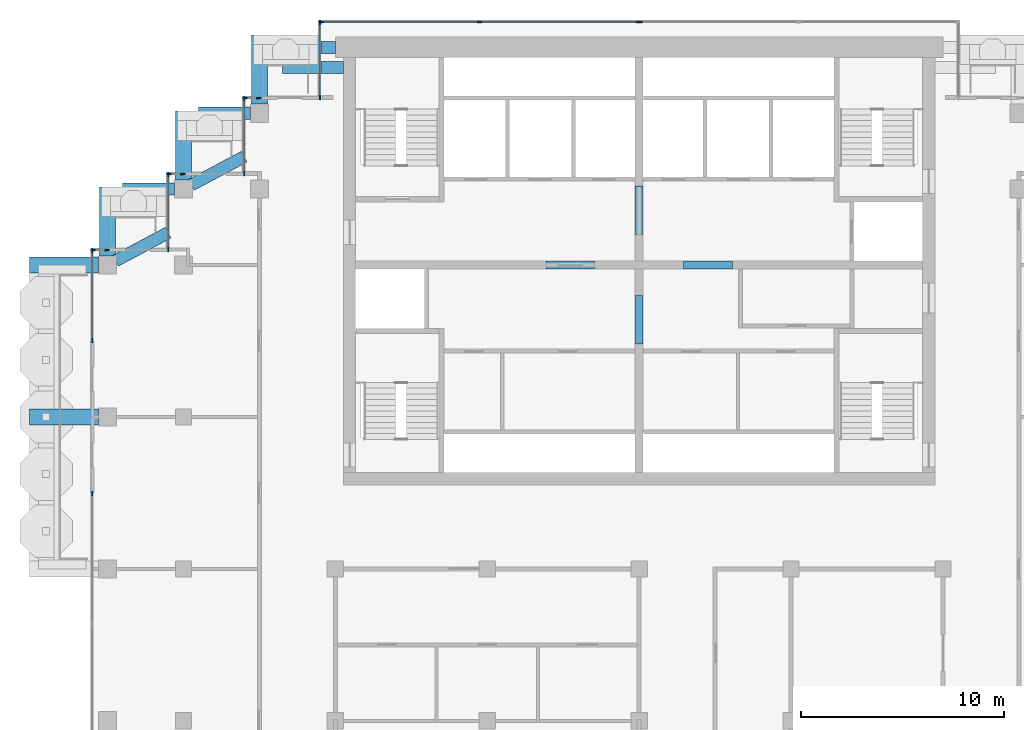
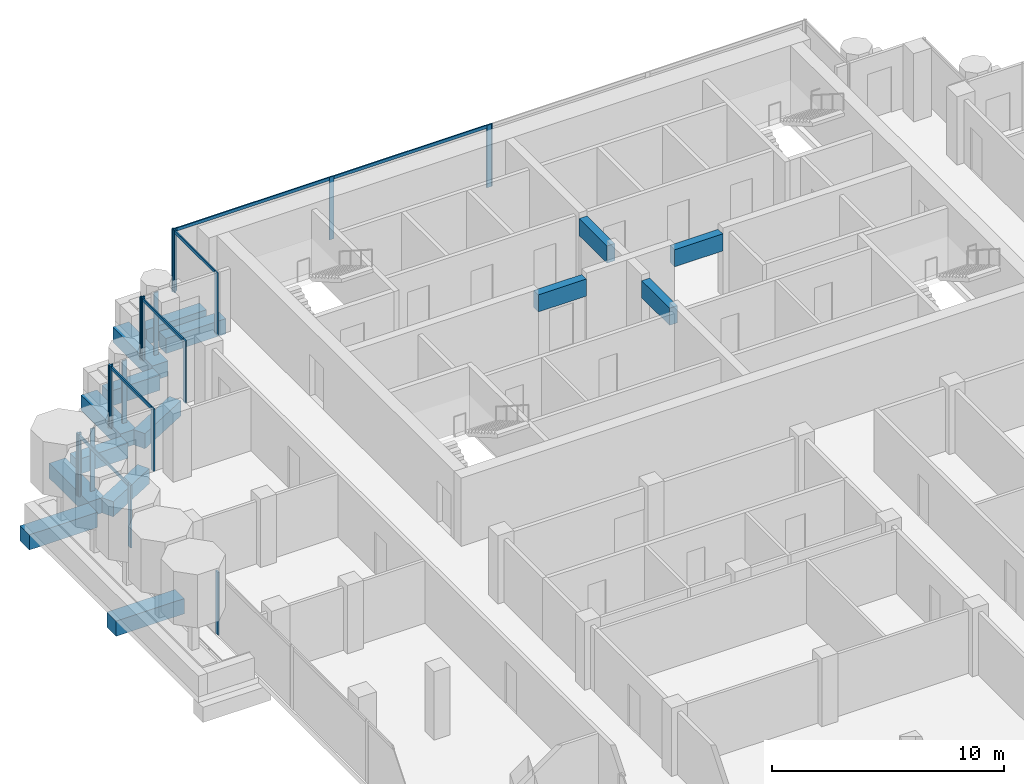
# One storey, part 5 of 18: 25 members, 15 beams, 10 elements without a shape of their own.
"""IFC4 building model written with IfcOpenShell, lengths in metres."""

from ifc_helpers import new_model, si_unit, direction, frame, origin, origin_2d, place, context, subcontext, project, spatial, rectangle, extrude, material, material_profile, profile_set, type_object, element, aggregate, save


model = new_model("IFC4")

# Units and contexts
model_context = context("Model", 3, precision=1e-05, world=origin(), true_north=direction((0.0, 1.0)))
body_context = subcontext(model_context, "Body", "Model", "MODEL_VIEW")
ifc_project = project(units=[si_unit("LENGTHUNIT", "METRE"), si_unit("AREAUNIT", "SQUARE_METRE"), si_unit("VOLUMEUNIT", "CUBIC_METRE"), si_unit("PLANEANGLEUNIT", "RADIAN"), si_unit("MASSUNIT", "GRAM", prefix="KILO")], contexts=[model_context])

# Site, building, storey
site_placement = place(None, origin())
site = spatial("IfcSite", under=ifc_project, at=site_placement, CompositionType="ELEMENT")
building_placement = place(site_placement, origin())
building = spatial("IfcBuilding", under=site, at=building_placement, Name="Pilkhan Gate Tower", CompositionType="ELEMENT")
storey_placement = place(building_placement, frame((0.0, 0.0, 235.5)))
storey = spatial("IfcBuildingStorey", under=building, at=storey_placement, Name="L61", CompositionType="ELEMENT", Elevation=235.5)

# Beams
ifc_material_1 = material(Name="Concrete C50/60", Category="concrete")
ifc_material_profile_1 = material_profile(ifc_material_1, rectangle(XDim=0.60009765625, YDim=0.800048828125, at=origin_2d()), Name="RC 600x800")
ifc_profile_set_1 = profile_set([ifc_material_profile_1], Name="Concrete C50/60")
beam_type_1 = type_object("IfcBeamType", Name="Cantilever beam CB1 RC 600x800 C50/60", PredefinedType="BEAM", material=ifc_profile_set_1)
for number, where, z_axis, x_axis, name in (
    (1, (60.0, 93.25, -0.699951171875), (-1.0, 0.0, 0.0), (0.0, -1.0, 0.0), "Balcony beam NW.2 L61"),
    (2, (60.39990234375, 92.25, -0.699951171875), (-1.0, 0.0, 0.0), (0.0, -1.0, 0.0), "Balcony beam NW.3 L61"),
):
    element("IfcBeam", number, at=place(storey_placement, frame(where, z_axis=z_axis, x_axis=x_axis)), inside=storey, type_object=beam_type_1, Name=name, PredefinedType="BEAM", context=body_context, shape_type="SweptSolid", body=[
        extrude(rectangle(XDim=0.60009765625, YDim=0.800048828125, at=origin_2d()), origin(), (0.0, 0.0, 1.0), 3.0),
    ])
beam_1_placement = place(storey_placement, frame((55.800048828125, 90.0, -0.699951171875), z_axis=(-1.0, 0.0, 0.0), x_axis=(0.0, -1.0, 0.0)))
element("IfcBeam", 3, at=beam_1_placement, inside=storey, type_object=beam_type_1, Name="Balcony beam NW1.2 L61", PredefinedType="BEAM", context=body_context, shape_type="SweptSolid", body=[
    extrude(rectangle(XDim=0.60009765625, YDim=0.800048828125, at=origin_2d()), origin(), (0.0, 0.0, 1.0), 2.550048828125),
])
beam_2_placement = place(storey_placement, frame((52.89697265625, 86.461669921875, -0.699951171875), z_axis=(0.882332323202, 0.470626891957, 0.0), x_axis=(-0.470626891957, 0.882332323202, 0.0)))
element("IfcBeam", 4, at=beam_2_placement, inside=storey, type_object=beam_type_1, Name="Balcony beam NW1.3 L61", PredefinedType="BEAM", context=body_context, shape_type="SweptSolid", body=[
    extrude(rectangle(XDim=0.60009765625, YDim=0.800048828125, at=origin_2d()), origin(), (0.0, 0.0, 1.0), 2.9501953125),
])
beam_3_placement = place(storey_placement, frame((52.050048828125, 86.25, -0.699951171875), z_axis=(-1.0, 0.0, 0.0), x_axis=(0.0, -1.0, 0.0)))
element("IfcBeam", 5, at=beam_3_placement, inside=storey, type_object=beam_type_1, Name="Balcony beam NW2.2 L61", PredefinedType="BEAM", context=body_context, shape_type="SweptSolid", body=[
    extrude(rectangle(XDim=0.60009765625, YDim=0.800048828125, at=origin_2d()), origin(), (0.0, 0.0, 1.0), 2.550048828125),
])
beam_4_placement = place(storey_placement, frame((49.14697265625, 82.711669921875, -0.699951171875), z_axis=(0.882332323202, 0.470626891957, 0.0), x_axis=(-0.470626891957, 0.882332323202, 0.0)))
element("IfcBeam", 6, at=beam_4_placement, inside=storey, type_object=beam_type_1, Name="Balcony beam NW2.3 L61", PredefinedType="BEAM", context=body_context, shape_type="SweptSolid", body=[
    extrude(rectangle(XDim=0.60009765625, YDim=0.800048828125, at=origin_2d()), origin(), (0.0, 0.0, 1.0), 2.9501953125),
])
ifc_material_profile_2 = material_profile(ifc_material_1, rectangle(XDim=0.800048828125, YDim=0.800048828125, at=origin_2d()), Name="RC 800x800")
ifc_profile_set_2 = profile_set([ifc_material_profile_2], Name="Concrete C50/60")
beam_type_2 = type_object("IfcBeamType", Name="Cantilever beam CB2 RC 800x800 C50/60", PredefinedType="BEAM", material=ifc_profile_set_2)
for number, where, z_axis, x_axis, name in (
    (7, (56.25, 90.449951171875, -0.699951171875), (0.0, 1.0, 0.0), (-1.0, 0.0, 0.0), "Balcony beam NW.1 L61"),
    (8, (52.5, 86.699951171875, -0.699951171875), (0.0, 1.0, 0.0), (-1.0, 0.0, 0.0), "Balcony beam NW1.1 L61"),
    (9, (48.75, 82.949951171875, -0.699951171875), (0.0, 1.0, 0.0), (-1.0, 0.0, 0.0), "Balcony beam NW2.1 L61"),
    (10, (48.300048828125, 75.0, -0.699951171875), (-1.0, 0.0, 0.0), (0.0, -1.0, 0.0), "Balcony beam W.2 L61"),
    (11, (48.300048828125, 82.5, -0.699951171875), (-1.0, 0.0, 0.0), (0.0, -1.0, 0.0), "Balcony beam W.3 L61"),
):
    element("IfcBeam", number, at=place(storey_placement, frame(where, z_axis=z_axis, x_axis=x_axis)), inside=storey, type_object=beam_type_2, Name=name, PredefinedType="BEAM", context=body_context, shape_type="SweptSolid", body=[
        extrude(rectangle(XDim=0.800048828125, YDim=0.800048828125, at=origin_2d()), origin(), (0.0, 0.0, 1.0), 3.400146484375),
    ])
ifc_material_profile_3 = material_profile(ifc_material_1, rectangle(XDim=0.39990234375, YDim=0.89990234375, at=origin_2d()), Name="RC 400x900")
ifc_profile_set_3 = profile_set([ifc_material_profile_3], Name="Concrete C50/60")
beam_type_3 = type_object("IfcBeamType", Name="Coupling beam CB90-4 RC 400x900 C50/60", PredefinedType="LINTEL", material=ifc_profile_set_3)
for number, where, z_axis, x_axis, name in (
    (12, (70.39990234375, 82.5, 2.85009765625), (1.0, 0.0, 0.0), (0.0, 1.0, 0.0), "Coupling beam 1 L61"),
    (13, (77.199951171875, 82.5, 2.85009765625), (1.0, 0.0, 0.0), (0.0, 1.0, 0.0), "Coupling beam 2 L61"),
):
    element("IfcBeam", number, at=place(storey_placement, frame(where, z_axis=z_axis, x_axis=x_axis)), inside=storey, type_object=beam_type_3, Name=name, PredefinedType="LINTEL", context=body_context, shape_type="SweptSolid", body=[
        extrude(rectangle(XDim=0.39990234375, YDim=0.89990234375, at=origin_2d()), origin(), (0.0, 0.0, 1.0), 2.400146484375),
    ])
for number, where, z_axis, x_axis, name in (
    (14, (75.0, 78.60009765625, 2.85009765625), (0.0, 1.0, 0.0), (-1.0, 0.0, 0.0), "Coupling beam 3 L61"),
    (15, (75.0, 84.0, 2.85009765625), (0.0, 1.0, 0.0), (-1.0, 0.0, 0.0), "Coupling beam 4 L61"),
):
    element("IfcBeam", number, at=place(storey_placement, frame(where, z_axis=z_axis, x_axis=x_axis)), inside=storey, type_object=beam_type_3, Name=name, PredefinedType="LINTEL", context=body_context, shape_type="SweptSolid", body=[
        extrude(rectangle(XDim=0.39990234375, YDim=0.89990234375, at=origin_2d()), origin(), (0.0, 0.0, 1.0), 2.39990234375),
    ])

# Curtain wall, members
ifc_material_2 = material(Name="Pale anodised aluminium, clear low-iron double glazing", Category="aluminium")
curtain_wall_type = type_object("IfcCurtainWallType", Name="Office unitised curtain wall CW-O2", PredefinedType="USERDEFINED", material=ifc_material_2)
curtain_wall_1_placement = place(storey_placement, origin())
curtain_wall_1 = element("IfcCurtainWall", 16, at=curtain_wall_1_placement, inside=storey, type_object=curtain_wall_type, Name="Office unitised curtain wall CW-O2 L61 N", ObjectType="UNITISED CURTAIN WALL", PredefinedType="USERDEFINED")
ifc_material_3 = material(Name="Pale anodised aluminium", Category="aluminium")
ifc_material_profile_4 = material_profile(ifc_material_3, rectangle(XDim=0.06494140625, YDim=0.22509765625, at=origin_2d()), Name="Mullion 225x65")
ifc_profile_set_4 = profile_set([ifc_material_profile_4], Name="Pale anodised aluminium")
member_type_1 = type_object("IfcMemberType", Name="Mullion CW-O2 225x65", PredefinedType="MULLION", material=ifc_profile_set_4)
member_1_placement = place(storey_placement, frame((59.282470703125, 94.5, 0.0), z_axis=(0.0, 0.0, 1.0), x_axis=(0.0, 1.0, 0.0)))
member_1 = element("IfcMember", 17, at=member_1_placement, type_object=member_type_1, Name="CW-O2 mullion 1", PredefinedType="MULLION", context=body_context, shape_type="SweptSolid", body=[
    extrude(rectangle(XDim=0.06494140625, YDim=0.22509765625, at=origin_2d()), origin(), (0.0, 0.0, 1.0), 3.300048828125),
])
member_2_placement = place(storey_placement, frame((67.125, 94.5, 0.0), z_axis=(0.0, 0.0, 1.0), x_axis=(0.0, 1.0, 0.0)))
member_2 = element("IfcMember", 18, at=member_2_placement, type_object=member_type_1, Name="CW-O2 mullion 2", PredefinedType="MULLION", context=body_context, shape_type="SweptSolid", body=[
    extrude(rectangle(XDim=0.06494140625, YDim=0.22509765625, at=origin_2d()), origin(), (0.0, 0.0, 1.0), 3.300048828125),
])
member_3_placement = place(storey_placement, frame((74.967529296875, 94.5, 0.0), z_axis=(0.0, 0.0, 1.0), x_axis=(0.0, 1.0, 0.0)))
member_3 = element("IfcMember", 19, at=member_3_placement, type_object=member_type_1, Name="CW-O2 mullion 3", PredefinedType="MULLION", context=body_context, shape_type="SweptSolid", body=[
    extrude(rectangle(XDim=0.06494140625, YDim=0.22509765625, at=origin_2d()), origin(), (0.0, 0.0, 1.0), 3.300048828125),
])

# Curtain wall, member
curtain_wall_2_placement = place(storey_placement, origin())
curtain_wall_2 = element("IfcCurtainWall", 20, at=curtain_wall_2_placement, inside=storey, type_object=curtain_wall_type, Name="Office unitised curtain wall CW-O2 L61 N", ObjectType="UNITISED CURTAIN WALL", PredefinedType="USERDEFINED")
member_4_placement = place(storey_placement, frame((75.032470703125, 94.5, 0.0), z_axis=(0.0, 0.0, 1.0), x_axis=(0.0, 1.0, 0.0)))
member_4 = element("IfcMember", 21, at=member_4_placement, type_object=member_type_1, Name="CW-O2 mullion 1", PredefinedType="MULLION", context=body_context, shape_type="SweptSolid", body=[
    extrude(rectangle(XDim=0.06494140625, YDim=0.22509765625, at=origin_2d()), origin(), (0.0, 0.0, 1.0), 3.300048828125),
])
aggregate(curtain_wall_2, [member_4])

# Curtain wall, members
curtain_wall_3_placement = place(storey_placement, origin())
curtain_wall_3 = element("IfcCurtainWall", 22, at=curtain_wall_3_placement, inside=storey, type_object=curtain_wall_type, Name="Office unitised curtain wall CW-O2 L61 W", ObjectType="UNITISED CURTAIN WALL", PredefinedType="USERDEFINED")
member_5_placement = place(storey_placement, frame((59.25, 90.782470703125, 0.0), z_axis=(0.0, 0.0, 1.0), x_axis=(-1.0, 0.0, 0.0)))
member_5 = element("IfcMember", 23, at=member_5_placement, type_object=member_type_1, Name="CW-O2 mullion 1", PredefinedType="MULLION", context=body_context, shape_type="SweptSolid", body=[
    extrude(rectangle(XDim=0.06494140625, YDim=0.22509765625, at=origin_2d()), origin(), (0.0, 0.0, 1.0), 3.300048828125),
])
member_6_placement = place(storey_placement, frame((59.25, 94.467529296875, 0.0), z_axis=(0.0, 0.0, 1.0), x_axis=(-1.0, 0.0, 0.0)))
member_6 = element("IfcMember", 24, at=member_6_placement, type_object=member_type_1, Name="CW-O2 mullion 2", PredefinedType="MULLION", context=body_context, shape_type="SweptSolid", body=[
    extrude(rectangle(XDim=0.06494140625, YDim=0.22509765625, at=origin_2d()), origin(), (0.0, 0.0, 1.0), 3.300048828125),
])

curtain_wall_4_placement = place(storey_placement, origin())
curtain_wall_4 = element("IfcCurtainWall", 25, at=curtain_wall_4_placement, inside=storey, type_object=curtain_wall_type, Name="Office unitised curtain wall CW-O2 L61 N", ObjectType="UNITISED CURTAIN WALL", PredefinedType="USERDEFINED")
member_7_placement = place(storey_placement, frame((55.532470703125, 90.75, 0.0), z_axis=(0.0, 0.0, 1.0), x_axis=(0.0, 1.0, 0.0)))
member_7 = element("IfcMember", 26, at=member_7_placement, type_object=member_type_1, Name="CW-O2 mullion 1", PredefinedType="MULLION", context=body_context, shape_type="SweptSolid", body=[
    extrude(rectangle(XDim=0.06494140625, YDim=0.22509765625, at=origin_2d()), origin(), (0.0, 0.0, 1.0), 3.300048828125),
])
member_8_placement = place(storey_placement, frame((56.217529296875, 90.75, 0.0), z_axis=(0.0, 0.0, 1.0), x_axis=(0.0, 1.0, 0.0)))
member_8 = element("IfcMember", 27, at=member_8_placement, type_object=member_type_1, Name="CW-O2 mullion 2", PredefinedType="MULLION", context=body_context, shape_type="SweptSolid", body=[
    extrude(rectangle(XDim=0.06494140625, YDim=0.22509765625, at=origin_2d()), origin(), (0.0, 0.0, 1.0), 3.300048828125),
])
aggregate(curtain_wall_4, [member_7, member_8])

curtain_wall_5_placement = place(storey_placement, origin())
curtain_wall_5 = element("IfcCurtainWall", 28, at=curtain_wall_5_placement, inside=storey, type_object=curtain_wall_type, Name="Office unitised curtain wall CW-O2 L61 W", ObjectType="UNITISED CURTAIN WALL", PredefinedType="USERDEFINED")
member_9_placement = place(storey_placement, frame((55.5, 87.032470703125, 0.0), z_axis=(0.0, 0.0, 1.0), x_axis=(-1.0, 0.0, 0.0)))
member_9 = element("IfcMember", 29, at=member_9_placement, type_object=member_type_1, Name="CW-O2 mullion 1", PredefinedType="MULLION", context=body_context, shape_type="SweptSolid", body=[
    extrude(rectangle(XDim=0.06494140625, YDim=0.22509765625, at=origin_2d()), origin(), (0.0, 0.0, 1.0), 3.300048828125),
])
member_10_placement = place(storey_placement, frame((55.5, 90.717529296875, 0.0), z_axis=(0.0, 0.0, 1.0), x_axis=(-1.0, 0.0, 0.0)))
member_10 = element("IfcMember", 30, at=member_10_placement, type_object=member_type_1, Name="CW-O2 mullion 2", PredefinedType="MULLION", context=body_context, shape_type="SweptSolid", body=[
    extrude(rectangle(XDim=0.06494140625, YDim=0.22509765625, at=origin_2d()), origin(), (0.0, 0.0, 1.0), 3.300048828125),
])

curtain_wall_6_placement = place(storey_placement, origin())
curtain_wall_6 = element("IfcCurtainWall", 31, at=curtain_wall_6_placement, inside=storey, type_object=curtain_wall_type, Name="Office unitised curtain wall CW-O2 L61 N", ObjectType="UNITISED CURTAIN WALL", PredefinedType="USERDEFINED")
member_11_placement = place(storey_placement, frame((51.782470703125, 87.0, 0.0), z_axis=(0.0, 0.0, 1.0), x_axis=(0.0, 1.0, 0.0)))
member_11 = element("IfcMember", 32, at=member_11_placement, type_object=member_type_1, Name="CW-O2 mullion 1", PredefinedType="MULLION", context=body_context, shape_type="SweptSolid", body=[
    extrude(rectangle(XDim=0.06494140625, YDim=0.22509765625, at=origin_2d()), origin(), (0.0, 0.0, 1.0), 3.300048828125),
])
member_12_placement = place(storey_placement, frame((52.467529296875, 87.0, 0.0), z_axis=(0.0, 0.0, 1.0), x_axis=(0.0, 1.0, 0.0)))
member_12 = element("IfcMember", 33, at=member_12_placement, type_object=member_type_1, Name="CW-O2 mullion 2", PredefinedType="MULLION", context=body_context, shape_type="SweptSolid", body=[
    extrude(rectangle(XDim=0.06494140625, YDim=0.22509765625, at=origin_2d()), origin(), (0.0, 0.0, 1.0), 3.300048828125),
])
aggregate(curtain_wall_6, [member_11, member_12])

curtain_wall_7_placement = place(storey_placement, origin())
curtain_wall_7 = element("IfcCurtainWall", 34, at=curtain_wall_7_placement, inside=storey, type_object=curtain_wall_type, Name="Office unitised curtain wall CW-O2 L61 W", ObjectType="UNITISED CURTAIN WALL", PredefinedType="USERDEFINED")
member_13_placement = place(storey_placement, frame((51.75, 83.282470703125, 0.0), z_axis=(0.0, 0.0, 1.0), x_axis=(-1.0, 0.0, 0.0)))
member_13 = element("IfcMember", 35, at=member_13_placement, type_object=member_type_1, Name="CW-O2 mullion 1", PredefinedType="MULLION", context=body_context, shape_type="SweptSolid", body=[
    extrude(rectangle(XDim=0.06494140625, YDim=0.22509765625, at=origin_2d()), origin(), (0.0, 0.0, 1.0), 3.300048828125),
])
member_14_placement = place(storey_placement, frame((51.75, 86.967529296875, 0.0), z_axis=(0.0, 0.0, 1.0), x_axis=(-1.0, 0.0, 0.0)))
member_14 = element("IfcMember", 36, at=member_14_placement, type_object=member_type_1, Name="CW-O2 mullion 2", PredefinedType="MULLION", context=body_context, shape_type="SweptSolid", body=[
    extrude(rectangle(XDim=0.06494140625, YDim=0.22509765625, at=origin_2d()), origin(), (0.0, 0.0, 1.0), 3.300048828125),
])

curtain_wall_8_placement = place(storey_placement, origin())
curtain_wall_8 = element("IfcCurtainWall", 37, at=curtain_wall_8_placement, inside=storey, type_object=curtain_wall_type, Name="Office unitised curtain wall CW-O2 L61 N", ObjectType="UNITISED CURTAIN WALL", PredefinedType="USERDEFINED")
member_15_placement = place(storey_placement, frame((48.032470703125, 83.25, 0.0), z_axis=(0.0, 0.0, 1.0), x_axis=(0.0, 1.0, 0.0)))
member_15 = element("IfcMember", 38, at=member_15_placement, type_object=member_type_1, Name="CW-O2 mullion 1", PredefinedType="MULLION", context=body_context, shape_type="SweptSolid", body=[
    extrude(rectangle(XDim=0.06494140625, YDim=0.22509765625, at=origin_2d()), origin(), (0.0, 0.0, 1.0), 3.300048828125),
])
member_16_placement = place(storey_placement, frame((48.717529296875, 83.25, 0.0), z_axis=(0.0, 0.0, 1.0), x_axis=(0.0, 1.0, 0.0)))
member_16 = element("IfcMember", 39, at=member_16_placement, type_object=member_type_1, Name="CW-O2 mullion 2", PredefinedType="MULLION", context=body_context, shape_type="SweptSolid", body=[
    extrude(rectangle(XDim=0.06494140625, YDim=0.22509765625, at=origin_2d()), origin(), (0.0, 0.0, 1.0), 3.300048828125),
])
aggregate(curtain_wall_8, [member_15, member_16])

# Curtain wall, member
curtain_wall_9_placement = place(storey_placement, origin())
curtain_wall_9 = element("IfcCurtainWall", 40, at=curtain_wall_9_placement, inside=storey, type_object=curtain_wall_type, Name="Office unitised curtain wall CW-O2 L61 W", ObjectType="UNITISED CURTAIN WALL", PredefinedType="USERDEFINED")
member_17_placement = place(storey_placement, frame((48.0, 71.217529296875, 0.0), z_axis=(0.0, 0.0, 1.0), x_axis=(-1.0, 0.0, 0.0)))
member_17 = element("IfcMember", 41, at=member_17_placement, type_object=member_type_1, Name="CW-O2 mullion 2", PredefinedType="MULLION", context=body_context, shape_type="SweptSolid", body=[
    extrude(rectangle(XDim=0.06494140625, YDim=0.22509765625, at=origin_2d()), origin(), (0.0, 0.0, 1.0), 3.300048828125),
])
aggregate(curtain_wall_9, [member_17])

# Curtain wall, members
curtain_wall_10_placement = place(storey_placement, origin())
curtain_wall_10 = element("IfcCurtainWall", 42, at=curtain_wall_10_placement, inside=storey, type_object=curtain_wall_type, Name="Office unitised curtain wall CW-O2 L61 W", ObjectType="UNITISED CURTAIN WALL", PredefinedType="USERDEFINED")
member_18_placement = place(storey_placement, frame((48.0, 78.782470703125, 0.0), z_axis=(0.0, 0.0, 1.0), x_axis=(-1.0, 0.0, 0.0)))
member_18 = element("IfcMember", 43, at=member_18_placement, type_object=member_type_1, Name="CW-O2 mullion 1", PredefinedType="MULLION", context=body_context, shape_type="SweptSolid", body=[
    extrude(rectangle(XDim=0.06494140625, YDim=0.22509765625, at=origin_2d()), origin(), (0.0, 0.0, 1.0), 3.300048828125),
])
member_19_placement = place(storey_placement, frame((48.0, 83.217529296875, 0.0), z_axis=(0.0, 0.0, 1.0), x_axis=(-1.0, 0.0, 0.0)))
member_19 = element("IfcMember", 44, at=member_19_placement, type_object=member_type_1, Name="CW-O2 mullion 2", PredefinedType="MULLION", context=body_context, shape_type="SweptSolid", body=[
    extrude(rectangle(XDim=0.06494140625, YDim=0.22509765625, at=origin_2d()), origin(), (0.0, 0.0, 1.0), 3.300048828125),
])

# Member
ifc_material_profile_5 = material_profile(ifc_material_3, rectangle(XDim=0.06494140625, YDim=0.1650390625, at=origin_2d()), Name="Transom 165x65")
ifc_profile_set_5 = profile_set([ifc_material_profile_5], Name="Pale anodised aluminium")
member_type_2 = type_object("IfcMemberType", Name="Transom CW-O2 165x65", PredefinedType="USERDEFINED", material=ifc_profile_set_5)
member_20_placement = place(storey_placement, frame((59.31494140625, 94.5, 3.217529296875), z_axis=(1.0, 0.0, 0.0), x_axis=(0.0, 1.0, 0.0)))
member_20 = element("IfcMember", 45, at=member_20_placement, type_object=member_type_2, Name="CW-O2 transom 1", ObjectType="TRANSOM", PredefinedType="USERDEFINED", context=body_context, shape_type="SweptSolid", body=[
    extrude(rectangle(XDim=0.06494140625, YDim=0.1650390625, at=origin_2d()), origin(), (0.0, 0.0, 1.0), 7.777587890625),
])

member_21_placement = place(storey_placement, frame((67.157470703125, 94.5, 3.217529296875), z_axis=(1.0, 0.0, 0.0), x_axis=(0.0, 1.0, 0.0)))
member_21 = element("IfcMember", 46, at=member_21_placement, type_object=member_type_2, Name="CW-O2 transom 2", ObjectType="TRANSOM", PredefinedType="USERDEFINED", context=body_context, shape_type="SweptSolid", body=[
    extrude(rectangle(XDim=0.06494140625, YDim=0.1650390625, at=origin_2d()), origin(), (0.0, 0.0, 1.0), 7.777587890625),
])

aggregate(curtain_wall_1, [member_1, member_2, member_3, member_20, member_21])

member_22_placement = place(storey_placement, frame((59.25, 90.81494140625, 3.217529296875), z_axis=(0.0, 1.0, 0.0), x_axis=(-1.0, 0.0, 0.0)))
member_22 = element("IfcMember", 47, at=member_22_placement, type_object=member_type_2, Name="CW-O2 transom 1", ObjectType="TRANSOM", PredefinedType="USERDEFINED", context=body_context, shape_type="SweptSolid", body=[
    extrude(rectangle(XDim=0.06494140625, YDim=0.1650390625, at=origin_2d()), origin(), (0.0, 0.0, 1.0), 3.6201171875),
])

aggregate(curtain_wall_3, [member_5, member_6, member_22])

member_23_placement = place(storey_placement, frame((55.5, 87.06494140625, 3.217529296875), z_axis=(0.0, 1.0, 0.0), x_axis=(-1.0, 0.0, 0.0)))
member_23 = element("IfcMember", 48, at=member_23_placement, type_object=member_type_2, Name="CW-O2 transom 1", ObjectType="TRANSOM", PredefinedType="USERDEFINED", context=body_context, shape_type="SweptSolid", body=[
    extrude(rectangle(XDim=0.06494140625, YDim=0.1650390625, at=origin_2d()), origin(), (0.0, 0.0, 1.0), 3.6201171875),
])

aggregate(curtain_wall_5, [member_9, member_10, member_23])

member_24_placement = place(storey_placement, frame((51.75, 83.31494140625, 3.217529296875), z_axis=(0.0, 1.0, 0.0), x_axis=(-1.0, 0.0, 0.0)))
member_24 = element("IfcMember", 49, at=member_24_placement, type_object=member_type_2, Name="CW-O2 transom 1", ObjectType="TRANSOM", PredefinedType="USERDEFINED", context=body_context, shape_type="SweptSolid", body=[
    extrude(rectangle(XDim=0.06494140625, YDim=0.1650390625, at=origin_2d()), origin(), (0.0, 0.0, 1.0), 3.6201171875),
])

aggregate(curtain_wall_7, [member_13, member_14, member_24])

member_25_placement = place(storey_placement, frame((48.0, 78.81494140625, 3.217529296875), z_axis=(0.0, 1.0, 0.0), x_axis=(-1.0, 0.0, 0.0)))
member_25 = element("IfcMember", 50, at=member_25_placement, type_object=member_type_2, Name="CW-O2 transom 1", ObjectType="TRANSOM", PredefinedType="USERDEFINED", context=body_context, shape_type="SweptSolid", body=[
    extrude(rectangle(XDim=0.06494140625, YDim=0.1650390625, at=origin_2d()), origin(), (0.0, 0.0, 1.0), 4.3701171875),
])

aggregate(curtain_wall_10, [member_18, member_19, member_25])

save(model, "model.ifc")
